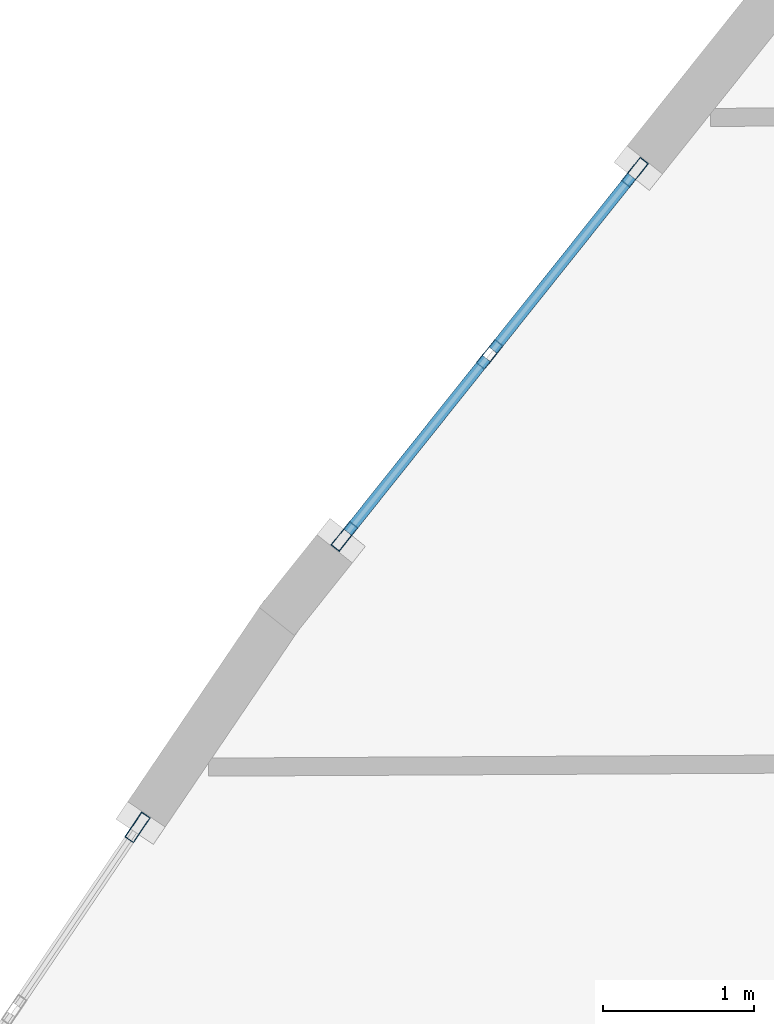
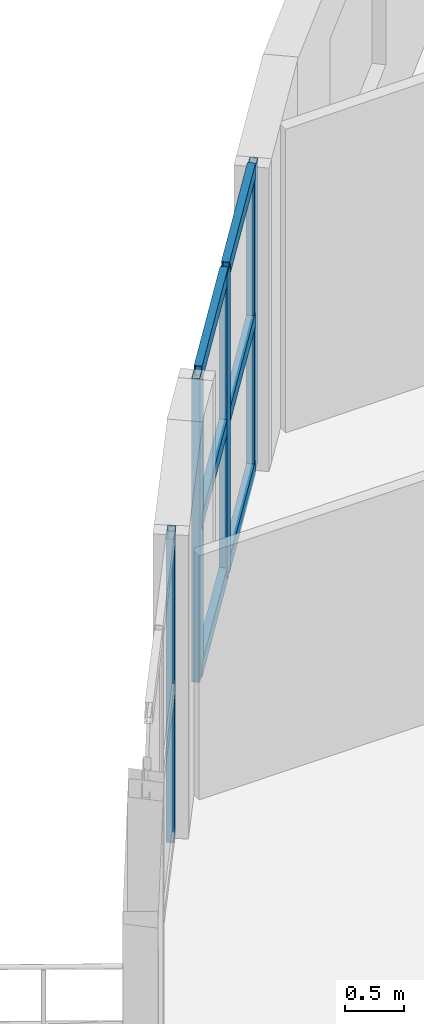
# One storey, part 6 of 17: 10 members, 2 elements without a shape of their own.
"""IFC4 building model written with IfcOpenShell, lengths in metres."""

from ifc_helpers import new_model, si_unit, direction, frame, origin, origin_2d, place, context, subcontext, project, spatial, hollow_rectangle, extrude, material, layer, layer_set, material_profile, profile_set, type_object, element, aggregate, save


model = new_model("IFC4")

# Units and contexts
model_context = context("Model", 3, precision=1e-05, world=origin(), true_north=direction((0.0, 1.0)))
body_context = subcontext(model_context, "Body", "Model", "MODEL_VIEW")
ifc_project = project(units=[si_unit("LENGTHUNIT", "METRE"), si_unit("AREAUNIT", "SQUARE_METRE"), si_unit("VOLUMEUNIT", "CUBIC_METRE"), si_unit("PLANEANGLEUNIT", "RADIAN"), si_unit("MASSUNIT", "GRAM", prefix="KILO")], contexts=[model_context])

# Site, building, storey
site_placement = place(None, origin())
site = spatial("IfcSite", under=ifc_project, at=site_placement, CompositionType="ELEMENT")
building_placement = place(site_placement, origin())
building = spatial("IfcBuilding", under=site, at=building_placement, Name="Miruveldt Soraemaru", CompositionType="ELEMENT")
storey_placement = place(building_placement, frame((0.0, 0.0, 53.0)))
storey = spatial("IfcBuildingStorey", under=building, at=storey_placement, Name="L14", CompositionType="ELEMENT", Elevation=53.0)

# Curtain wall, members
ifc_material = material(Name="Anodised aluminium EN AW-6063 T6", Category="aluminium")
ifc_layer = layer(ifc_material, 0.199951171875, Name="Anodised aluminium EN AW-6063 T6", Category="aluminium")
ifc_layer_set = layer_set([ifc_layer], Name="Anodised aluminium EN AW-6063 T6")
curtain_wall_type = type_object("IfcCurtainWallType", Name="CW-SYS-3", PredefinedType="USERDEFINED", material=ifc_layer_set)
curtain_wall_1_placement = place(storey_placement, origin())
curtain_wall_1 = element("IfcCurtainWall", 1, at=curtain_wall_1_placement, inside=storey, type_object=curtain_wall_type, Name="L14 Curtain Wall Bay 8", ObjectType="UNITISED GLAZING", PredefinedType="USERDEFINED")
ifc_material_profile_1 = material_profile(ifc_material, hollow_rectangle(XDim=0.070068359375, YDim=0.199951171875, WallThickness=0.00390625, at=origin_2d()), Name="Anodised aluminium EN AW-6063 T6", Category="aluminium")
ifc_profile_set_1 = profile_set([ifc_material_profile_1], Name="Anodised aluminium EN AW-6063 T6")
member_type_1 = type_object("IfcMemberType", Name="CWM-3", PredefinedType="MULLION", material=ifc_profile_set_1)
member_1_placement = place(storey_placement, frame((35.28369140625, 65.4658203125, 0.0), z_axis=(0.0, 0.0, 1.0), x_axis=(0.78173868813, -0.623606144518, 0.0)))
member_1 = element("IfcMember", 2, at=member_1_placement, type_object=member_type_1, Name="CW-3 mullion 1", PredefinedType="MULLION", context=body_context, shape_type="SweptSolid", body=[
    extrude(hollow_rectangle(XDim=0.070068359375, YDim=0.199951171875, WallThickness=0.00390625, at=origin_2d()), origin(), (0.0, 0.0, 1.0), 3.125),
])
member_2_placement = place(storey_placement, frame((34.3203125, 64.258056640625, 0.0), z_axis=(0.0, 0.0, 1.0), x_axis=(0.78173868813, -0.623606144518, 0.0)))
member_2 = element("IfcMember", 3, at=member_2_placement, type_object=member_type_1, Name="CW-3 mullion 2", PredefinedType="MULLION", context=body_context, shape_type="SweptSolid", body=[
    extrude(hollow_rectangle(XDim=0.070068359375, YDim=0.199951171875, WallThickness=0.00390625, at=origin_2d()), origin(), (0.0, 0.0, 1.0), 3.125),
])
member_3_placement = place(storey_placement, frame((33.356689453125, 63.05029296875, 0.0), z_axis=(0.0, 0.0, 1.0), x_axis=(0.78173868813, -0.623606144518, 0.0)))
member_3 = element("IfcMember", 4, at=member_3_placement, type_object=member_type_1, Name="CW-3 mullion 3", PredefinedType="MULLION", context=body_context, shape_type="SweptSolid", body=[
    extrude(hollow_rectangle(XDim=0.070068359375, YDim=0.199951171875, WallThickness=0.00390625, at=origin_2d()), origin(), (0.0, 0.0, 1.0), 3.125),
])

# Curtain wall, member
curtain_wall_2_placement = place(storey_placement, origin())
curtain_wall_2 = element("IfcCurtainWall", 5, at=curtain_wall_2_placement, inside=storey, type_object=curtain_wall_type, Name="L14 Curtain Wall Bay 9", ObjectType="UNITISED GLAZING", PredefinedType="USERDEFINED")
member_4_placement = place(storey_placement, frame((31.98486328125, 61.120361328125, 0.0), z_axis=(0.0, 0.0, 1.0), x_axis=(0.827928205104, -0.560834099529, 0.0)))
member_4 = element("IfcMember", 6, at=member_4_placement, type_object=member_type_1, Name="CW-3 mullion 1", PredefinedType="MULLION", context=body_context, shape_type="SweptSolid", body=[
    extrude(hollow_rectangle(XDim=0.070068359375, YDim=0.199951171875, WallThickness=0.00390625, at=origin_2d()), origin(), (0.0, 0.0, 1.0), 3.125),
])
aggregate(curtain_wall_2, [member_4])

# Member
ifc_material_profile_2 = material_profile(ifc_material, hollow_rectangle(XDim=0.070068359375, YDim=0.14990234375, WallThickness=0.00390625, at=origin_2d()), Name="Anodised aluminium EN AW-6063 T6", Category="aluminium")
ifc_profile_set_2 = profile_set([ifc_material_profile_2], Name="Anodised aluminium EN AW-6063 T6")
member_type_2 = type_object("IfcMemberType", Name="CWT-3", PredefinedType="USERDEFINED", material=ifc_profile_set_2)
member_5_placement = place(storey_placement, frame((35.261962890625, 65.4384765625, 0.034912109375), z_axis=(-0.623644902217, -0.781707768888, 0.0), x_axis=(0.781707768888, -0.623644902217, 0.0)))
member_5 = element("IfcMember", 7, at=member_5_placement, type_object=member_type_2, Name="CW-3 transom 1.1", ObjectType="TRANSOM", PredefinedType="USERDEFINED", context=body_context, shape_type="SweptSolid", body=[
    extrude(hollow_rectangle(XDim=0.070068359375, YDim=0.14990234375, WallThickness=0.00390625, at=origin_2d()), origin(), (0.0, 0.0, 1.0), 1.47509765625),
])

member_6_placement = place(storey_placement, frame((35.261962890625, 65.4384765625, 1.5625), z_axis=(-0.623644902217, -0.781707768888, 0.0), x_axis=(0.781707768888, -0.623644902217, 0.0)))
member_6 = element("IfcMember", 8, at=member_6_placement, type_object=member_type_2, Name="CW-3 transom 1.2", ObjectType="TRANSOM", PredefinedType="USERDEFINED", context=body_context, shape_type="SweptSolid", body=[
    extrude(hollow_rectangle(XDim=0.070068359375, YDim=0.14990234375, WallThickness=0.00390625, at=origin_2d()), origin(), (0.0, 0.0, 1.0), 1.47509765625),
])

member_7_placement = place(storey_placement, frame((35.261962890625, 65.4384765625, 3.090087890625), z_axis=(-0.623644902217, -0.781707768888, 0.0), x_axis=(0.781707768888, -0.623644902217, 0.0)))
member_7 = element("IfcMember", 9, at=member_7_placement, type_object=member_type_2, Name="CW-3 transom 1.3", ObjectType="TRANSOM", PredefinedType="USERDEFINED", context=body_context, shape_type="SweptSolid", body=[
    extrude(hollow_rectangle(XDim=0.070068359375, YDim=0.14990234375, WallThickness=0.00390625, at=origin_2d()), origin(), (0.0, 0.0, 1.0), 1.47509765625),
])

member_8_placement = place(storey_placement, frame((34.29833984375, 64.230712890625, 0.034912109375), z_axis=(-0.623543748328, -0.781788458549, 0.0), x_axis=(0.781788458549, -0.623543748328, 0.0)))
member_8 = element("IfcMember", 10, at=member_8_placement, type_object=member_type_2, Name="CW-3 transom 2.1", ObjectType="TRANSOM", PredefinedType="USERDEFINED", context=body_context, shape_type="SweptSolid", body=[
    extrude(hollow_rectangle(XDim=0.070068359375, YDim=0.14990234375, WallThickness=0.00390625, at=origin_2d()), origin(), (0.0, 0.0, 1.0), 1.474853515625),
])

member_9_placement = place(storey_placement, frame((34.29833984375, 64.230712890625, 1.5625), z_axis=(-0.623543748328, -0.781788458549, 0.0), x_axis=(0.781788458549, -0.623543748328, 0.0)))
member_9 = element("IfcMember", 11, at=member_9_placement, type_object=member_type_2, Name="CW-3 transom 2.2", ObjectType="TRANSOM", PredefinedType="USERDEFINED", context=body_context, shape_type="SweptSolid", body=[
    extrude(hollow_rectangle(XDim=0.070068359375, YDim=0.14990234375, WallThickness=0.00390625, at=origin_2d()), origin(), (0.0, 0.0, 1.0), 1.474853515625),
])

member_10_placement = place(storey_placement, frame((34.29833984375, 64.230712890625, 3.090087890625), z_axis=(-0.623543748328, -0.781788458549, 0.0), x_axis=(0.781788458549, -0.623543748328, 0.0)))
member_10 = element("IfcMember", 12, at=member_10_placement, type_object=member_type_2, Name="CW-3 transom 2.3", ObjectType="TRANSOM", PredefinedType="USERDEFINED", context=body_context, shape_type="SweptSolid", body=[
    extrude(hollow_rectangle(XDim=0.070068359375, YDim=0.14990234375, WallThickness=0.00390625, at=origin_2d()), origin(), (0.0, 0.0, 1.0), 1.474853515625),
])

aggregate(curtain_wall_1, [member_1, member_2, member_3, member_5, member_6, member_7, member_8, member_9, member_10])

save(model, "model.ifc")
